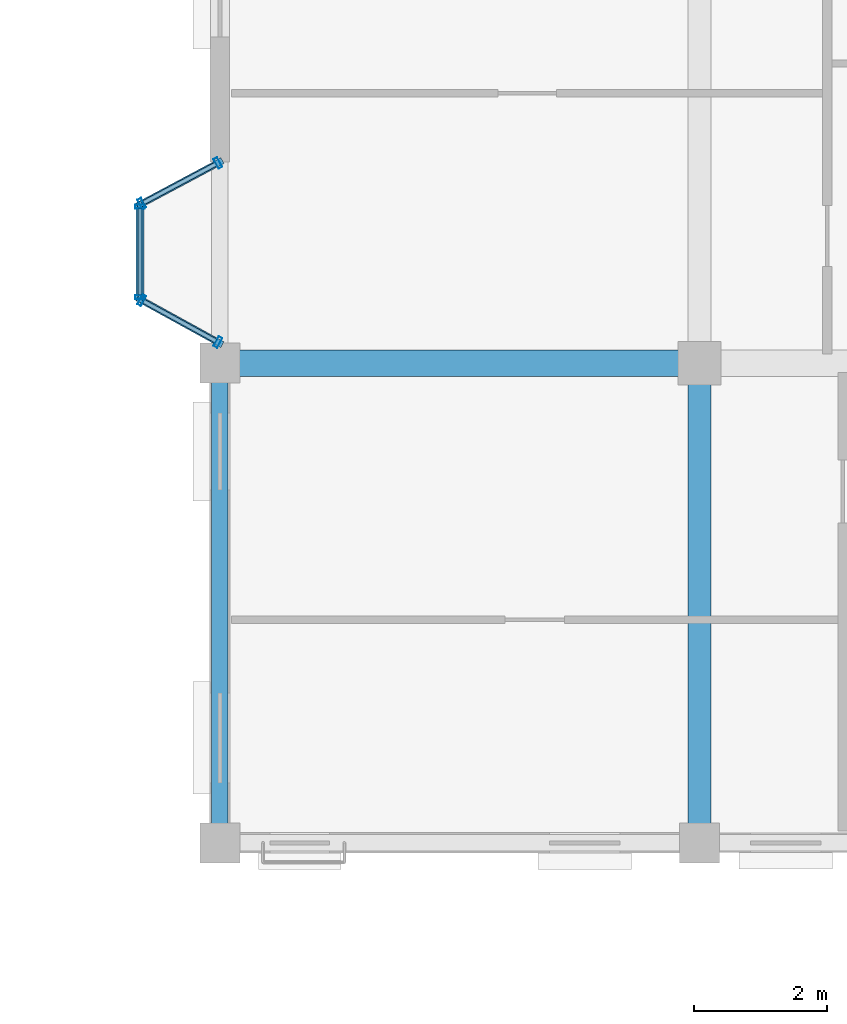
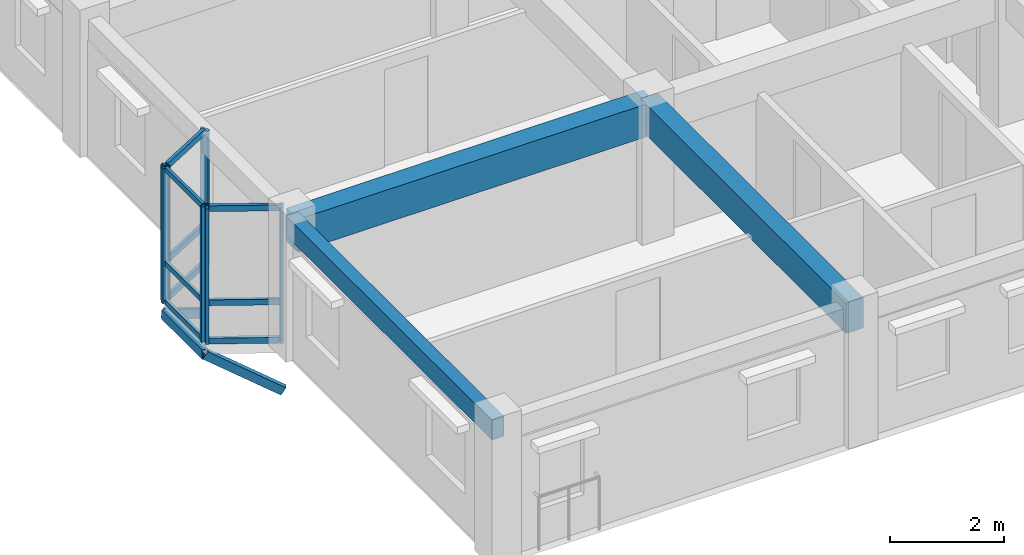
# One storey, part 46 of 124: 18 members, 3 beams, 3 elements without a shape of their own.
"""IFC4 building model written with IfcOpenShell, lengths in metres."""

from ifc_helpers import new_model, si_unit, direction, frame, origin, origin_2d, place, context, subcontext, project, spatial, rectangle, hollow_rectangle, extrude, material, layer, layer_set, material_profile, profile_set, type_object, element, aggregate, save


model = new_model("IFC4")

# Units and contexts
model_context = context("Model", 3, precision=1e-05, world=origin(), true_north=direction((0.0, 1.0)))
body_context = subcontext(model_context, "Body", "Model", "MODEL_VIEW")
ifc_project = project(units=[si_unit("LENGTHUNIT", "METRE"), si_unit("AREAUNIT", "SQUARE_METRE"), si_unit("VOLUMEUNIT", "CUBIC_METRE"), si_unit("PLANEANGLEUNIT", "RADIAN"), si_unit("MASSUNIT", "GRAM", prefix="KILO"), si_unit("THERMODYNAMICTEMPERATUREUNIT", "KELVIN"), si_unit("POWERUNIT", "WATT")], contexts=[model_context])

# Site, building, storey
site_placement = place(None, origin())
site = spatial("IfcSite", under=ifc_project, at=site_placement, CompositionType="ELEMENT")
building_placement = place(site_placement, origin())
building = spatial("IfcBuilding", under=site, at=building_placement, Name="Tavuni Mirador Residences", CompositionType="ELEMENT")
storey_placement = place(building_placement, frame((0.0, 0.0, 7.64990234375)))
storey = spatial("IfcBuildingStorey", under=building, at=storey_placement, Name="L02", CompositionType="ELEMENT", Elevation=7.64990234375)

# Beams
ifc_material_1 = material(Name="Precast concrete C40/50", Category="concrete")
ifc_material_profile_1 = material_profile(ifc_material_1, rectangle(XDim=0.35009765625, YDim=0.64990234375, at=origin_2d()), Name="PC 350x650", Category="concrete")
ifc_profile_set_1 = profile_set([ifc_material_profile_1], Name="Precast concrete C40/50")
beam_type_1 = type_object("IfcBeamType", Name="BT-B650", PredefinedType="BEAM", material=ifc_profile_set_1)
beam_1_placement = place(storey_placement, frame((97.199951171875, 86.39990234375, 2.565185546875), z_axis=(0.0, 1.0, 0.0), x_axis=(-1.0, 0.0, 0.0)))
element("IfcBeam", 1, at=beam_1_placement, inside=storey, type_object=beam_type_1, Name="BMY-BLK-D-L02-01-00", PredefinedType="BEAM", context=body_context, shape_type="SweptSolid", body=[
    extrude(rectangle(XDim=0.35009765625, YDim=0.64990234375, at=origin_2d()), origin(), (0.0, 0.0, 1.0), 7.2001953125),
])
ifc_material_profile_2 = material_profile(ifc_material_1, rectangle(XDim=0.39990234375, YDim=0.699951171875, at=origin_2d()), Name="PC 400x700", Category="concrete")
ifc_profile_set_2 = profile_set([ifc_material_profile_2], Name="Precast concrete C40/50")
beam_type_2 = type_object("IfcBeamType", Name="BT-B700", PredefinedType="BEAM", material=ifc_profile_set_2)
beam_2_placement = place(storey_placement, frame((90.0, 93.60009765625, 2.5400390625), z_axis=(1.0, 0.0, 0.0), x_axis=(0.0, 1.0, 0.0)))
element("IfcBeam", 2, at=beam_2_placement, inside=storey, type_object=beam_type_2, Name="BMX-BLK-D-L02-00-01", PredefinedType="BEAM", context=body_context, shape_type="SweptSolid", body=[
    extrude(rectangle(XDim=0.39990234375, YDim=0.699951171875, at=origin_2d()), origin(), (0.0, 0.0, 1.0), 7.199951171875),
])
ifc_material_profile_3 = material_profile(ifc_material_1, rectangle(XDim=0.25, YDim=0.419921875, at=origin_2d()), Name="PC 250x420", Category="concrete")
ifc_profile_set_3 = profile_set([ifc_material_profile_3], Name="Precast concrete C40/50")
beam_type_3 = type_object("IfcBeamType", Name="BT-SP420", PredefinedType="SPANDREL", material=ifc_profile_set_3)
beam_3_placement = place(storey_placement, frame((90.0, 86.39990234375, 2.68017578125), z_axis=(0.0, 1.0, 0.0), x_axis=(-1.0, 0.0, 0.0)))
element("IfcBeam", 3, at=beam_3_placement, inside=storey, type_object=beam_type_3, Name="BMY-BLK-D-L02-00-00", PredefinedType="SPANDREL", context=body_context, shape_type="SweptSolid", body=[
    extrude(rectangle(XDim=0.25, YDim=0.419921875, at=origin_2d()), origin(), (0.0, 0.0, 1.0), 7.2001953125),
])

# Curtain wall, members
ifc_material_2 = material(Name="Anodised aluminium", Category="aluminium")
ifc_layer_1 = layer(ifc_material_2, 0.1650390625, Name="Anodised aluminium", Category="aluminium")
ifc_layer_set_1 = layer_set([ifc_layer_1], Name="Anodised aluminium")
curtain_wall_type_1 = type_object("IfcCurtainWallType", Name="CWT-MIR-A", PredefinedType="NOTDEFINED", material=ifc_layer_set_1)
curtain_wall_1_placement = place(storey_placement, origin())
curtain_wall_1 = element("IfcCurtainWall", 4, at=curtain_wall_1_placement, inside=storey, type_object=curtain_wall_type_1, Name="CW-MIR-D-W1-L02-MF", PredefinedType="NOTDEFINED")
ifc_material_profile_4 = material_profile(ifc_material_2, hollow_rectangle(XDim=0.06005859375, YDim=0.139892578125, WallThickness=0.00390625, at=origin_2d()), Name="ALU 60x140x4.0", Category="aluminium")
ifc_profile_set_4 = profile_set([ifc_material_profile_4], Name="Anodised aluminium")
member_type_1 = type_object("IfcMemberType", Name="CWM-140", PredefinedType="MULLION", material=ifc_profile_set_4)
member_1_placement = place(storey_placement, frame((88.800048828125, 95.949951171875, 0.0), z_axis=(0.0, 0.0, 1.0), x_axis=(0.0, -1.0, 0.0)))
member_1 = element("IfcMember", 5, at=member_1_placement, type_object=member_type_1, Name="CW-01 mullion 1", PredefinedType="MULLION", context=body_context, shape_type="SweptSolid", body=[
    extrude(hollow_rectangle(XDim=0.06005859375, YDim=0.139892578125, WallThickness=0.00390625, at=origin_2d()), origin(), (0.0, 0.0, 1.0), 2.89013671875),
])
member_2_placement = place(storey_placement, frame((88.800048828125, 94.590087890625, 0.0), z_axis=(0.0, 0.0, 1.0), x_axis=(0.0, -1.0, 0.0)))
member_2 = element("IfcMember", 6, at=member_2_placement, type_object=member_type_1, Name="CW-01 mullion 2", PredefinedType="MULLION", context=body_context, shape_type="SweptSolid", body=[
    extrude(hollow_rectangle(XDim=0.06005859375, YDim=0.139892578125, WallThickness=0.00390625, at=origin_2d()), origin(), (0.0, 0.0, 1.0), 2.89013671875),
])

ifc_layer_2 = layer(ifc_material_2, 0.159912109375, Name="Anodised aluminium", Category="aluminium")
ifc_layer_set_2 = layer_set([ifc_layer_2], Name="Anodised aluminium")
curtain_wall_type_2 = type_object("IfcCurtainWallType", Name="CWT-MIR-D", PredefinedType="NOTDEFINED", material=ifc_layer_set_2)
curtain_wall_2_placement = place(storey_placement, origin())
curtain_wall_2 = element("IfcCurtainWall", 7, at=curtain_wall_2_placement, inside=storey, type_object=curtain_wall_type_2, Name="CW-MIR-D-W1-L02-M1", PredefinedType="NOTDEFINED")
ifc_material_profile_5 = material_profile(ifc_material_2, hollow_rectangle(XDim=0.06494140625, YDim=0.1650390625, WallThickness=0.00439453125, at=origin_2d()), Name="ALU 65x165x4.5", Category="aluminium")
ifc_profile_set_5 = profile_set([ifc_material_profile_5], Name="Anodised aluminium")
member_type_2 = type_object("IfcMemberType", Name="CWM-165", PredefinedType="MULLION", material=ifc_profile_set_5)
member_3_placement = place(storey_placement, frame((89.971435546875, 96.604736328125, 0.0), z_axis=(0.0, 0.0, 1.0), x_axis=(-0.882352941175, -0.470588235296, 0.0)))
member_3 = element("IfcMember", 8, at=member_3_placement, type_object=member_type_2, Name="CW-04 mullion 1", PredefinedType="MULLION", context=body_context, shape_type="SweptSolid", body=[
    extrude(hollow_rectangle(XDim=0.06494140625, YDim=0.1650390625, WallThickness=0.00439453125, at=origin_2d()), origin(), (0.0, 0.0, 1.0), 2.89013671875),
])
member_4_placement = place(storey_placement, frame((88.82861328125, 95.995361328125, 0.0), z_axis=(0.0, 0.0, 1.0), x_axis=(-0.882352941175, -0.470588235296, 0.0)))
member_4 = element("IfcMember", 9, at=member_4_placement, type_object=member_type_2, Name="CW-04 mullion 2", PredefinedType="MULLION", context=body_context, shape_type="SweptSolid", body=[
    extrude(hollow_rectangle(XDim=0.06494140625, YDim=0.1650390625, WallThickness=0.00439453125, at=origin_2d()), origin(), (0.0, 0.0, 1.0), 2.89013671875),
])

ifc_layer_3 = layer(ifc_material_2, 0.14990234375, Name="Anodised aluminium", Category="aluminium")
ifc_layer_set_3 = layer_set([ifc_layer_3], Name="Anodised aluminium")
curtain_wall_type_3 = type_object("IfcCurtainWallType", Name="CWT-MIR-B", PredefinedType="NOTDEFINED", material=ifc_layer_set_3)
curtain_wall_3_placement = place(storey_placement, origin())
curtain_wall_3 = element("IfcCurtainWall", 10, at=curtain_wall_3_placement, inside=storey, type_object=curtain_wall_type_3, Name="CW-MIR-D-W1-L02-M2", PredefinedType="NOTDEFINED")
member_5_placement = place(storey_placement, frame((88.828369140625, 94.54443359375, 0.0), z_axis=(0.0, 0.0, 1.0), x_axis=(0.876215908676, -0.481918749773, 0.0)))
member_5 = element("IfcMember", 11, at=member_5_placement, type_object=member_type_2, Name="CW-02 mullion 1", PredefinedType="MULLION", context=body_context, shape_type="SweptSolid", body=[
    extrude(hollow_rectangle(XDim=0.06494140625, YDim=0.1650390625, WallThickness=0.00439453125, at=origin_2d()), origin(), (0.0, 0.0, 1.0), 2.89013671875),
])
member_6_placement = place(storey_placement, frame((89.971435546875, 93.915771484375, 0.0), z_axis=(0.0, 0.0, 1.0), x_axis=(0.876215908676, -0.481918749773, 0.0)))
member_6 = element("IfcMember", 12, at=member_6_placement, type_object=member_type_2, Name="CW-02 mullion 2", PredefinedType="MULLION", context=body_context, shape_type="SweptSolid", body=[
    extrude(hollow_rectangle(XDim=0.06494140625, YDim=0.1650390625, WallThickness=0.00439453125, at=origin_2d()), origin(), (0.0, 0.0, 1.0), 2.89013671875),
])

# Member
ifc_material_profile_6 = material_profile(ifc_material_2, hollow_rectangle(XDim=0.06005859375, YDim=0.110107421875, WallThickness=0.00390625, at=origin_2d()), Name="ALU 60x110x4.0", Category="aluminium")
ifc_profile_set_6 = profile_set([ifc_material_profile_6], Name="Anodised aluminium")
member_type_3 = type_object("IfcMemberType", Name="CWT-110", PredefinedType="USERDEFINED", material=ifc_profile_set_6)
member_7_placement = place(storey_placement, frame((88.800048828125, 95.919921875, 0.030029296875), z_axis=(0.0, -1.0, 0.0), x_axis=(1.0, 0.0, 0.0)))
member_7 = element("IfcMember", 13, at=member_7_placement, type_object=member_type_3, Name="CW-01 transom 1.1", ObjectType="TRANSOM", PredefinedType="USERDEFINED", context=body_context, shape_type="SweptSolid", body=[
    extrude(hollow_rectangle(XDim=0.06005859375, YDim=0.110107421875, WallThickness=0.00390625, at=origin_2d()), origin(), (0.0, 0.0, 1.0), 1.2998046875),
])

member_8_placement = place(storey_placement, frame((88.800048828125, 95.919921875, 0.85009765625), z_axis=(0.0, -1.0, 0.0), x_axis=(1.0, 0.0, 0.0)))
member_8 = element("IfcMember", 14, at=member_8_placement, type_object=member_type_3, Name="CW-01 transom 1.2", ObjectType="TRANSOM", PredefinedType="USERDEFINED", context=body_context, shape_type="SweptSolid", body=[
    extrude(hollow_rectangle(XDim=0.06005859375, YDim=0.110107421875, WallThickness=0.00390625, at=origin_2d()), origin(), (0.0, 0.0, 1.0), 1.2998046875),
])

member_9_placement = place(storey_placement, frame((88.800048828125, 95.919921875, 2.860107421875), z_axis=(0.0, -1.0, 0.0), x_axis=(1.0, 0.0, 0.0)))
member_9 = element("IfcMember", 15, at=member_9_placement, type_object=member_type_3, Name="CW-01 transom 1.3", ObjectType="TRANSOM", PredefinedType="USERDEFINED", context=body_context, shape_type="SweptSolid", body=[
    extrude(hollow_rectangle(XDim=0.06005859375, YDim=0.110107421875, WallThickness=0.00390625, at=origin_2d()), origin(), (0.0, 0.0, 1.0), 1.2998046875),
])

aggregate(curtain_wall_1, [member_1, member_2, member_7, member_8, member_9])

ifc_material_profile_7 = material_profile(ifc_material_2, hollow_rectangle(XDim=0.06494140625, YDim=0.125, WallThickness=0.00439453125, at=origin_2d()), Name="ALU 65x125x4.5", Category="aluminium")
ifc_profile_set_7 = profile_set([ifc_material_profile_7], Name="Anodised aluminium")
member_type_4 = type_object("IfcMemberType", Name="CWT-125", PredefinedType="USERDEFINED", material=ifc_profile_set_7)
member_10_placement = place(storey_placement, frame((89.942626953125, 96.58935546875, 0.03271484375), z_axis=(-0.882325465843, -0.470639747922, 0.0), x_axis=(0.470639747922, -0.882325465843, 0.0)))
member_10 = element("IfcMember", 16, at=member_10_placement, type_object=member_type_4, Name="CW-04 transom 1.1", ObjectType="TRANSOM", PredefinedType="USERDEFINED", context=body_context, shape_type="SweptSolid", body=[
    extrude(hollow_rectangle(XDim=0.06494140625, YDim=0.125, WallThickness=0.00439453125, at=origin_2d()), origin(), (0.0, 0.0, 1.0), 1.22998046875),
])

member_11_placement = place(storey_placement, frame((89.942626953125, 96.58935546875, 0.85009765625), z_axis=(-0.882325465843, -0.470639747922, 0.0), x_axis=(0.470639747922, -0.882325465843, 0.0)))
member_11 = element("IfcMember", 17, at=member_11_placement, type_object=member_type_4, Name="CW-04 transom 1.2", ObjectType="TRANSOM", PredefinedType="USERDEFINED", context=body_context, shape_type="SweptSolid", body=[
    extrude(hollow_rectangle(XDim=0.06494140625, YDim=0.125, WallThickness=0.00439453125, at=origin_2d()), origin(), (0.0, 0.0, 1.0), 1.22998046875),
])

member_12_placement = place(storey_placement, frame((89.942626953125, 96.58935546875, 2.857666015625), z_axis=(-0.882325465843, -0.470639747922, 0.0), x_axis=(0.470639747922, -0.882325465843, 0.0)))
member_12 = element("IfcMember", 18, at=member_12_placement, type_object=member_type_4, Name="CW-04 transom 1.3", ObjectType="TRANSOM", PredefinedType="USERDEFINED", context=body_context, shape_type="SweptSolid", body=[
    extrude(hollow_rectangle(XDim=0.06494140625, YDim=0.125, WallThickness=0.00439453125, at=origin_2d()), origin(), (0.0, 0.0, 1.0), 1.22998046875),
])

aggregate(curtain_wall_2, [member_3, member_4, member_10, member_11, member_12])

member_13_placement = place(storey_placement, frame((88.85693359375, 94.528564453125, 0.03271484375), z_axis=(0.876294909517, -0.481775083991, 0.0), x_axis=(0.481775083991, 0.876294909517, 0.0)))
member_13 = element("IfcMember", 19, at=member_13_placement, type_object=member_type_4, Name="CW-02 transom 1.1", ObjectType="TRANSOM", PredefinedType="USERDEFINED", context=body_context, shape_type="SweptSolid", body=[
    extrude(hollow_rectangle(XDim=0.06494140625, YDim=0.125, WallThickness=0.00439453125, at=origin_2d()), origin(), (0.0, 0.0, 1.0), 1.239501953125),
])

member_14_placement = place(storey_placement, frame((88.85693359375, 94.528564453125, 0.85009765625), z_axis=(0.876294909517, -0.481775083991, 0.0), x_axis=(0.481775083991, 0.876294909517, 0.0)))
member_14 = element("IfcMember", 20, at=member_14_placement, type_object=member_type_4, Name="CW-02 transom 1.2", ObjectType="TRANSOM", PredefinedType="USERDEFINED", context=body_context, shape_type="SweptSolid", body=[
    extrude(hollow_rectangle(XDim=0.06494140625, YDim=0.125, WallThickness=0.00439453125, at=origin_2d()), origin(), (0.0, 0.0, 1.0), 1.239501953125),
])

member_15_placement = place(storey_placement, frame((88.85693359375, 94.528564453125, 2.857666015625), z_axis=(0.876294909517, -0.481775083991, 0.0), x_axis=(0.481775083991, 0.876294909517, 0.0)))
member_15 = element("IfcMember", 21, at=member_15_placement, type_object=member_type_4, Name="CW-02 transom 1.3", ObjectType="TRANSOM", PredefinedType="USERDEFINED", context=body_context, shape_type="SweptSolid", body=[
    extrude(hollow_rectangle(XDim=0.06494140625, YDim=0.125, WallThickness=0.00439453125, at=origin_2d()), origin(), (0.0, 0.0, 1.0), 1.239501953125),
])

aggregate(curtain_wall_3, [member_5, member_6, member_13, member_14, member_15])

# Members
ifc_material_3 = material(Name="Structural steel S355", Category="steel")
ifc_material_profile_8 = material_profile(ifc_material_3, hollow_rectangle(XDim=0.10009765625, YDim=0.179931640625, WallThickness=0.008056640625, at=origin_2d()), Name="RHS 180x100x8.0", Category="steel")
ifc_profile_set_8 = profile_set([ifc_material_profile_8], Name="Structural steel S355")
member_type_5 = type_object("IfcMemberType", Name="MT-BR-RHS180", PredefinedType="BRACE", material=ifc_profile_set_8)
member_16_placement = place(storey_placement, frame((90.0, 93.89990234375, -1.0498046875), z_axis=(-0.758996957459, 0.41756414506, 0.499563612895), x_axis=(-0.482021392732, -0.876159447218, 0.0)))
element("IfcMember", 22, at=member_16_placement, inside=storey, type_object=member_type_5, Name="MBRK-MIR-D-W1-L02-1", PredefinedType="BRACE", context=body_context, shape_type="SweptSolid", body=[
    extrude(hollow_rectangle(XDim=0.10009765625, YDim=0.179931640625, WallThickness=0.008056640625, at=origin_2d()), origin(), (0.0, 0.0, 1.0), 1.5810546875),
])
member_17_placement = place(storey_placement, frame((90.0, 96.6201171875, -1.0498046875), z_axis=(-0.762980474463, -0.407026409775, 0.502185520832), x_axis=(0.470681405175, -0.882303244255, 0.0)))
element("IfcMember", 23, at=member_17_placement, inside=storey, type_object=member_type_5, Name="MBRK-MIR-D-W1-L02-2", PredefinedType="BRACE", context=body_context, shape_type="SweptSolid", body=[
    extrude(hollow_rectangle(XDim=0.10009765625, YDim=0.179931640625, WallThickness=0.008056640625, at=origin_2d()), origin(), (0.0, 0.0, 1.0), 1.57275390625),
])
ifc_material_profile_9 = material_profile(ifc_material_3, hollow_rectangle(XDim=0.1201171875, YDim=0.199951171875, WallThickness=0.010009765625, at=origin_2d()), Name="RHS 200x120x10.0", Category="steel")
ifc_profile_set_9 = profile_set([ifc_material_profile_9], Name="Structural steel S355")
member_type_6 = type_object("IfcMemberType", Name="MT-ST-RHS200", PredefinedType="STRUT", material=ifc_profile_set_9)
member_18_placement = place(storey_placement, frame((88.800048828125, 94.56005859375, -0.260009765625), z_axis=(0.0, 1.0, 0.0), x_axis=(-1.0, 0.0, 0.0)))
element("IfcMember", 24, at=member_18_placement, inside=storey, type_object=member_type_6, Name="MRIM-MIR-D-W1-L02", PredefinedType="STRUT", context=body_context, shape_type="SweptSolid", body=[
    extrude(hollow_rectangle(XDim=0.1201171875, YDim=0.199951171875, WallThickness=0.010009765625, at=origin_2d()), origin(), (0.0, 0.0, 1.0), 1.419921875),
])

save(model, "model.ifc")
